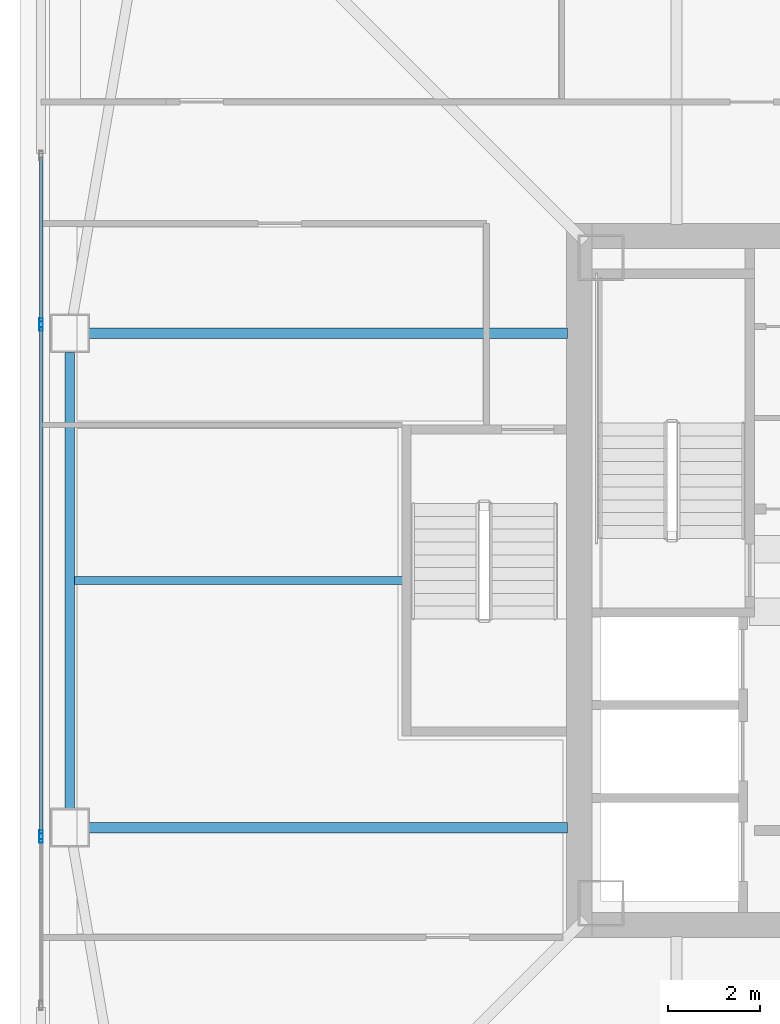
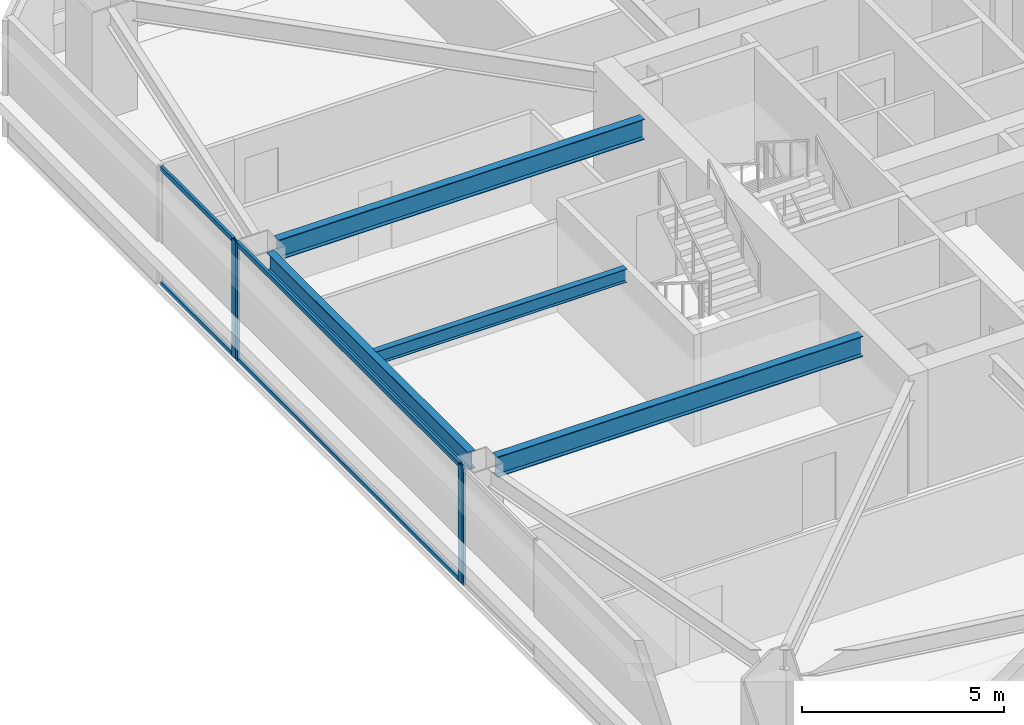
# One storey, part 8 of 41: 8 members, 4 beams, 3 elements without a shape of their own.
"""IFC4 building model written with IfcOpenShell, lengths in metres."""

from ifc_helpers import new_model, si_unit, direction, frame, origin, origin_2d, place, context, subcontext, project, spatial, hollow_rectangle, i_section, extrude, material, material_profile, profile_set, type_object, element, aggregate, save


model = new_model("IFC4")

# Units and contexts
model_context = context("Model", 3, precision=1e-05, world=origin(), true_north=direction((0.0, 1.0)))
body_context = subcontext(model_context, "Body", "Model", "MODEL_VIEW")
ifc_project = project(units=[si_unit("LENGTHUNIT", "METRE"), si_unit("AREAUNIT", "SQUARE_METRE"), si_unit("VOLUMEUNIT", "CUBIC_METRE"), si_unit("PLANEANGLEUNIT", "RADIAN"), si_unit("MASSUNIT", "GRAM", prefix="KILO")], contexts=[model_context])

# Site, building, storey
site_placement = place(None, origin())
site = spatial("IfcSite", under=ifc_project, at=site_placement, CompositionType="ELEMENT")
building_placement = place(site_placement, origin())
building = spatial("IfcBuilding", under=site, at=building_placement, Name="Tashvorn Skyway Center", CompositionType="ELEMENT")
storey_placement = place(building_placement, frame((0.0, 0.0, 146.35009765625)))
storey = spatial("IfcBuildingStorey", under=building, at=storey_placement, Name="L39", CompositionType="ELEMENT", Elevation=146.35009765625)

# Beams
ifc_material_1 = material(Name="Steel ASTM A992 Grade 50", Category="steel")
ifc_material_profile_1 = material_profile(ifc_material_1, i_section(OverallWidth=0.22998046875, OverallDepth=0.616943359375, WebThickness=0.01318359375, FlangeThickness=0.022216796875, at=origin_2d()), Name="W24X94")
ifc_profile_set_1 = profile_set([ifc_material_profile_1], Name="Steel ASTM A992 Grade 50")
beam_type_1 = type_object("IfcBeamType", Name="BM-BEAM-W24X94", PredefinedType="BEAM", material=ifc_profile_set_1)
for number, where, z_axis, x_axis, name in (
    (1, (23.77001953125, 37.39990234375, 3.0615234375), (1.0, 0.0, 0.0), (0.0, 1.0, 0.0), "Tower 1 L39 Primary Floor Girder FC-W1"),
    (2, (23.77001953125, 26.60009765625, 3.0615234375), (1.0, 0.0, 0.0), (0.0, 1.0, 0.0), "Tower 1 L39 Primary Floor Girder FC-W2"),
):
    element("IfcBeam", number, at=place(storey_placement, frame(where, z_axis=z_axis, x_axis=x_axis)), inside=storey, type_object=beam_type_1, Name=name, PredefinedType="BEAM", context=body_context, shape_type="SweptSolid", body=[
        extrude(i_section(OverallWidth=0.22998046875, OverallDepth=0.616943359375, WebThickness=0.01318359375, FlangeThickness=0.022216796875, at=origin_2d()), origin(), (0.0, 0.0, 1.0), 10.449951171875),
    ])
ifc_material_profile_2 = material_profile(ifc_material_1, i_section(OverallWidth=0.177978515625, OverallDepth=0.406005859375, WebThickness=0.0078125, FlangeThickness=0.0126953125, at=origin_2d()), Name="W16X40")
ifc_profile_set_2 = profile_set([ifc_material_profile_2], Name="Steel ASTM A992 Grade 50")
beam_type_2 = type_object("IfcBeamType", Name="BM-JOIST-W16X40", PredefinedType="JOIST", material=ifc_profile_set_2)
beam_1_placement = place(storey_placement, frame((30.610107421875, 32.0, 3.1669921875), z_axis=(-1.0, 0.0, 0.0), x_axis=(0.0, -1.0, 0.0)))
element("IfcBeam", 3, at=beam_1_placement, inside=storey, type_object=beam_type_2, Name="Tower 1 L39 Secondary Composite Joist JW", PredefinedType="JOIST", context=body_context, shape_type="SweptSolid", body=[
    extrude(i_section(OverallWidth=0.177978515625, OverallDepth=0.406005859375, WebThickness=0.0078125, FlangeThickness=0.0126953125, at=origin_2d()), origin(), (0.0, 0.0, 1.0), 7.16259765625),
])
ifc_material_profile_3 = material_profile(ifc_material_1, i_section(OverallWidth=0.2109375, OverallDepth=0.5390625, WebThickness=0.01171875, FlangeThickness=0.018798828125, at=origin_2d()), Name="W21X73")
ifc_profile_set_3 = profile_set([ifc_material_profile_3], Name="Steel ASTM A992 Grade 50")
beam_type_3 = type_object("IfcBeamType", Name="BM-SPANDREL-W21X73", PredefinedType="SPANDREL", material=ifc_profile_set_3)
beam_2_placement = place(storey_placement, frame((23.35009765625, 36.97998046875, 3.100341796875), z_axis=(0.0, -1.0, 0.0), x_axis=(1.0, 0.0, 0.0)))
element("IfcBeam", 4, at=beam_2_placement, inside=storey, type_object=beam_type_3, Name="Tower 1 L39 Spandrel Beam 11", PredefinedType="SPANDREL", context=body_context, shape_type="SweptSolid", body=[
    extrude(i_section(OverallWidth=0.2109375, OverallDepth=0.5390625, WebThickness=0.01171875, FlangeThickness=0.018798828125, at=origin_2d()), origin(), (0.0, 0.0, 1.0), 9.9599609375),
])

# Curtain wall, member
ifc_material_2 = material(Name="Thermally broken bronze-anodized aluminium 6063-T6", Category="aluminium")
curtain_wall_type = type_object("IfcCurtainWallType", Name="CW-CW-Z3", PredefinedType="NOTDEFINED", material=ifc_material_2)
curtain_wall_1_placement = place(storey_placement, origin())
curtain_wall_1 = element("IfcCurtainWall", 5, at=curtain_wall_1_placement, inside=storey, type_object=curtain_wall_type, Name="Tower 1 L39 West Unitised Curtain Wall Glazing Group 1", PredefinedType="NOTDEFINED")
ifc_material_profile_4 = material_profile(ifc_material_2, hollow_rectangle(XDim=0.074951171875, YDim=0.199951171875, WallThickness=0.00439453125, at=origin_2d()), Name="ALU-MULL-75x200")
ifc_profile_set_4 = profile_set([ifc_material_profile_4], Name="Thermally broken bronze-anodized aluminium 6063-T6")
member_type_1 = type_object("IfcMemberType", Name="CWM-CW-Z3", PredefinedType="MULLION", material=ifc_profile_set_4)
member_1_placement = place(storey_placement, frame((22.719970703125, 26.369140625, 0.0), z_axis=(0.0, 0.0, 1.0), x_axis=(-1.0, 0.0, 0.0)))
member_1 = element("IfcMember", 6, at=member_1_placement, type_object=member_type_1, Name="CW-Z3 mullion 2", PredefinedType="MULLION", context=body_context, shape_type="SweptSolid", body=[
    extrude(hollow_rectangle(XDim=0.074951171875, YDim=0.199951171875, WallThickness=0.00439453125, at=origin_2d()), origin(), (0.0, 0.0, 1.0), 3.5498046875),
])
aggregate(curtain_wall_1, [member_1])

# Curtain wall, members
curtain_wall_2_placement = place(storey_placement, origin())
curtain_wall_2 = element("IfcCurtainWall", 7, at=curtain_wall_2_placement, inside=storey, type_object=curtain_wall_type, Name="Tower 1 L39 West Unitised Curtain Wall Glazing Group 2", PredefinedType="NOTDEFINED")
member_2_placement = place(storey_placement, frame((22.719970703125, 26.444091796875, 0.0), z_axis=(0.0, 0.0, 1.0), x_axis=(-1.0, 0.0, 0.0)))
member_2 = element("IfcMember", 8, at=member_2_placement, type_object=member_type_1, Name="CW-Z3 mullion 1", PredefinedType="MULLION", context=body_context, shape_type="SweptSolid", body=[
    extrude(hollow_rectangle(XDim=0.074951171875, YDim=0.199951171875, WallThickness=0.00439453125, at=origin_2d()), origin(), (0.0, 0.0, 1.0), 3.5498046875),
])
member_3_placement = place(storey_placement, frame((22.719970703125, 37.555908203125, 0.0), z_axis=(0.0, 0.0, 1.0), x_axis=(-1.0, 0.0, 0.0)))
member_3 = element("IfcMember", 9, at=member_3_placement, type_object=member_type_1, Name="CW-Z3 mullion 2", PredefinedType="MULLION", context=body_context, shape_type="SweptSolid", body=[
    extrude(hollow_rectangle(XDim=0.074951171875, YDim=0.199951171875, WallThickness=0.00439453125, at=origin_2d()), origin(), (0.0, 0.0, 1.0), 3.5498046875),
])

# Curtain wall, member
curtain_wall_3_placement = place(storey_placement, origin())
curtain_wall_3 = element("IfcCurtainWall", 10, at=curtain_wall_3_placement, inside=storey, type_object=curtain_wall_type, Name="Tower 1 L39 West Unitised Curtain Wall Glazing Group 3", PredefinedType="NOTDEFINED")
member_4_placement = place(storey_placement, frame((22.719970703125, 37.630859375, 0.0), z_axis=(0.0, 0.0, 1.0), x_axis=(-1.0, 0.0, 0.0)))
member_4 = element("IfcMember", 11, at=member_4_placement, type_object=member_type_1, Name="CW-Z3 mullion 1", PredefinedType="MULLION", context=body_context, shape_type="SweptSolid", body=[
    extrude(hollow_rectangle(XDim=0.074951171875, YDim=0.199951171875, WallThickness=0.00439453125, at=origin_2d()), origin(), (0.0, 0.0, 1.0), 3.5498046875),
])

# Member
ifc_material_profile_5 = material_profile(ifc_material_2, hollow_rectangle(XDim=0.074951171875, YDim=0.139892578125, WallThickness=0.004150390625, at=origin_2d()), Name="ALU-TRAN-75x140")
ifc_profile_set_5 = profile_set([ifc_material_profile_5], Name="Thermally broken bronze-anodized aluminium 6063-T6")
member_type_2 = type_object("IfcMemberType", Name="CWT-CW-Z3", PredefinedType="USERDEFINED", material=ifc_profile_set_5)
member_5_placement = place(storey_placement, frame((22.719970703125, 26.481689453125, 0.037353515625), z_axis=(0.0, 1.0, 0.0), x_axis=(-1.0, 0.0, 0.0)))
member_5 = element("IfcMember", 12, at=member_5_placement, type_object=member_type_2, Name="CW-Z3 transom 1.1", ObjectType="TRANSOM", PredefinedType="USERDEFINED", context=body_context, shape_type="SweptSolid", body=[
    extrude(hollow_rectangle(XDim=0.074951171875, YDim=0.139892578125, WallThickness=0.004150390625, at=origin_2d()), origin(), (0.0, 0.0, 1.0), 11.03662109375),
])

member_6_placement = place(storey_placement, frame((22.719970703125, 26.481689453125, 3.512451171875), z_axis=(0.0, 1.0, 0.0), x_axis=(-1.0, 0.0, 0.0)))
member_6 = element("IfcMember", 13, at=member_6_placement, type_object=member_type_2, Name="CW-Z3 transom 1.2", ObjectType="TRANSOM", PredefinedType="USERDEFINED", context=body_context, shape_type="SweptSolid", body=[
    extrude(hollow_rectangle(XDim=0.074951171875, YDim=0.139892578125, WallThickness=0.004150390625, at=origin_2d()), origin(), (0.0, 0.0, 1.0), 11.03662109375),
])

aggregate(curtain_wall_2, [member_2, member_3, member_5, member_6])

member_7_placement = place(storey_placement, frame((22.719970703125, 37.668212890625, 0.037353515625), z_axis=(0.0, 1.0, 0.0), x_axis=(-1.0, 0.0, 0.0)))
member_7 = element("IfcMember", 14, at=member_7_placement, type_object=member_type_2, Name="CW-Z3 transom 1.1", ObjectType="TRANSOM", PredefinedType="USERDEFINED", context=body_context, shape_type="SweptSolid", body=[
    extrude(hollow_rectangle(XDim=0.074951171875, YDim=0.139892578125, WallThickness=0.004150390625, at=origin_2d()), origin(), (0.0, 0.0, 1.0), 3.5791015625),
])

member_8_placement = place(storey_placement, frame((22.719970703125, 37.668212890625, 3.512451171875), z_axis=(0.0, 1.0, 0.0), x_axis=(-1.0, 0.0, 0.0)))
member_8 = element("IfcMember", 15, at=member_8_placement, type_object=member_type_2, Name="CW-Z3 transom 1.2", ObjectType="TRANSOM", PredefinedType="USERDEFINED", context=body_context, shape_type="SweptSolid", body=[
    extrude(hollow_rectangle(XDim=0.074951171875, YDim=0.139892578125, WallThickness=0.004150390625, at=origin_2d()), origin(), (0.0, 0.0, 1.0), 3.5791015625),
])

aggregate(curtain_wall_3, [member_4, member_7, member_8])

save(model, "model.ifc")
